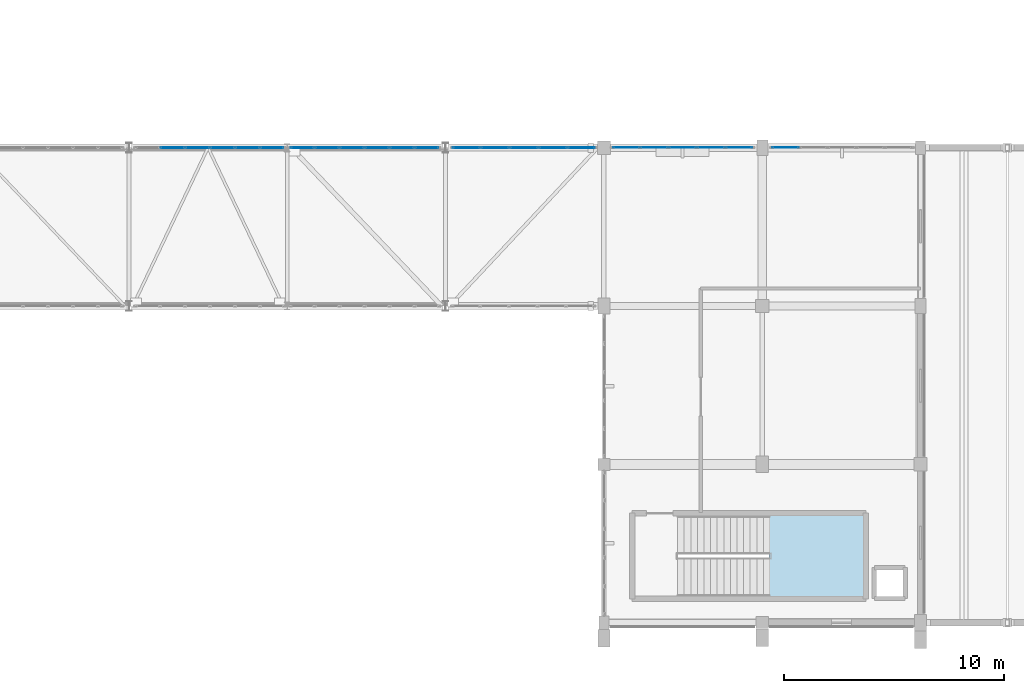
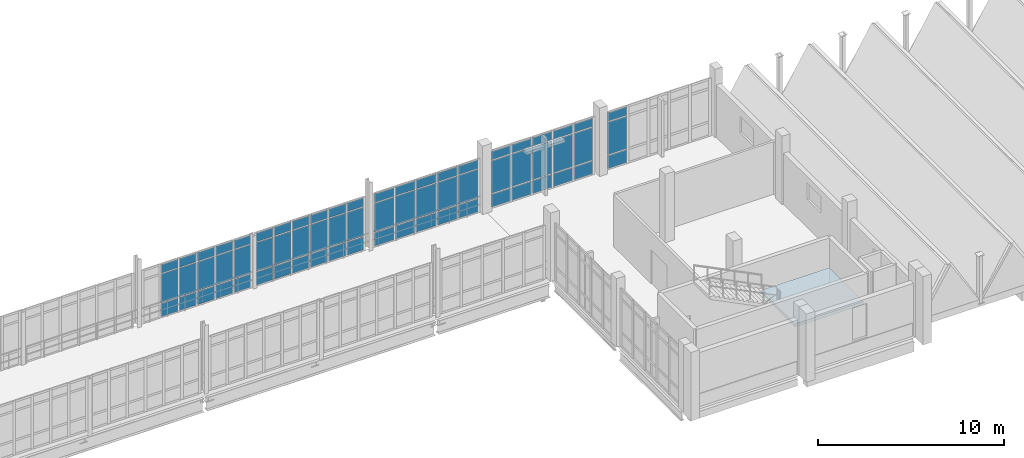
# One storey, part 95 of 124: 66 plates, 1 slab, 6 elements without a shape of their own.
"""IFC4 building model written with IfcOpenShell, lengths in metres."""

from ifc_helpers import new_model, si_unit, direction, frame, origin, origin_2d, place, context, subcontext, project, spatial, polyline, rectangle, outline, extrude, material, layer, layer_set, type_object, element, aggregate, save


model = new_model("IFC4")

# Units and contexts
model_context = context("Model", 3, precision=1e-05, world=origin(), true_north=direction((0.0, 1.0)))
body_context = subcontext(model_context, "Body", "Model", "MODEL_VIEW")
ifc_project = project(units=[si_unit("LENGTHUNIT", "METRE"), si_unit("AREAUNIT", "SQUARE_METRE"), si_unit("VOLUMEUNIT", "CUBIC_METRE"), si_unit("PLANEANGLEUNIT", "RADIAN"), si_unit("MASSUNIT", "GRAM", prefix="KILO")], contexts=[model_context])

# Site, building, storey
site_placement = place(None, origin())
site = spatial("IfcSite", under=ifc_project, at=site_placement, CompositionType="ELEMENT")
building_placement = place(site_placement, origin())
building = spatial("IfcBuilding", under=site, at=building_placement, Name="Kalluvel Institute of Natural Sciences", CompositionType="ELEMENT")
storey_placement = place(building_placement, frame((0.0, 0.0, 9.89990234375)))
storey = spatial("IfcBuildingStorey", under=building, at=storey_placement, Name="L02", CompositionType="ELEMENT", Elevation=9.89990234375)

# Curtain wall, plates
ifc_material_1 = material(Name="Aluminium AW-6063 T6", Category="aluminium")
curtain_wall_type_1 = type_object("IfcCurtainWallType", Name="CW-SPAV-45", PredefinedType="USERDEFINED", material=ifc_material_1)
curtain_wall_1_placement = place(storey_placement, origin())
curtain_wall_1 = element("IfcCurtainWall", 1, at=curtain_wall_1_placement, inside=storey, type_object=curtain_wall_type_1, Name="L02 Gothic lancet curtain wall CWA-L02-X1008-Y356", ObjectType="UNITISED LANCET FACADE", PredefinedType="USERDEFINED")
ifc_material_2 = material(Name="Solar-Control Low-E Laminated Glass", Category="glass")
ifc_layer_1 = layer(ifc_material_2, 0.028076171875)
ifc_layer_set_1 = layer_set([ifc_layer_1], Name="Solar-Control Low-E Laminated Glass")
plate_type_1 = type_object("IfcPlateType", Name="CWP-DGU-28", PredefinedType="CURTAIN_PANEL", material=ifc_layer_set_1)
plate_1_placement = place(storey_placement, frame((101.4111328125, 35.60009765625, 0.065185546875), z_axis=(0.0, 0.0, 1.0), x_axis=(1.0, 0.0, 0.0)))
plate_1 = element("IfcPlate", 2, at=plate_1_placement, type_object=plate_type_1, Name="CW-10 panel 1.1", PredefinedType="CURTAIN_PANEL", context=body_context, shape_type="SweptSolid", body=[
    extrude(rectangle(XDim=1.1923828125, YDim=0.028076171875, at=origin_2d()), origin(), (0.0, 0.0, 1.0), 0.8525390625),
])
plate_2_placement = place(storey_placement, frame((101.4111328125, 35.60009765625, 0.982421875), z_axis=(0.0, 0.0, 1.0), x_axis=(1.0, 0.0, 0.0)))
plate_2 = element("IfcPlate", 3, at=plate_2_placement, type_object=plate_type_1, Name="CW-10 panel 1.2", PredefinedType="CURTAIN_PANEL", context=body_context, shape_type="SweptSolid", body=[
    extrude(rectangle(XDim=1.1923828125, YDim=0.028076171875, at=origin_2d()), origin(), (0.0, 0.0, 1.0), 2.135009765625),
])
plate_3_placement = place(storey_placement, frame((101.4111328125, 35.60009765625, 3.1826171875), z_axis=(0.0, 0.0, 1.0), x_axis=(1.0, 0.0, 0.0)))
plate_3 = element("IfcPlate", 4, at=plate_3_placement, type_object=plate_type_1, Name="CW-10 panel 1.3", PredefinedType="CURTAIN_PANEL", context=body_context, shape_type="SweptSolid", body=[
    extrude(rectangle(XDim=1.1923828125, YDim=0.028076171875, at=origin_2d()), origin(), (0.0, 0.0, 1.0), 0.552490234375),
])
plate_4_placement = place(storey_placement, frame((102.68505859375, 35.60009765625, 0.065185546875), z_axis=(0.0, 0.0, 1.0), x_axis=(1.0, 0.0, 0.0)))
plate_4 = element("IfcPlate", 5, at=plate_4_placement, type_object=plate_type_1, Name="CW-10 panel 2.1", PredefinedType="CURTAIN_PANEL", context=body_context, shape_type="SweptSolid", body=[
    extrude(rectangle(XDim=1.22509765625, YDim=0.028076171875, at=origin_2d()), origin(), (0.0, 0.0, 1.0), 0.8525390625),
])
plate_5_placement = place(storey_placement, frame((102.68505859375, 35.60009765625, 0.982421875), z_axis=(0.0, 0.0, 1.0), x_axis=(1.0, 0.0, 0.0)))
plate_5 = element("IfcPlate", 6, at=plate_5_placement, type_object=plate_type_1, Name="CW-10 panel 2.2", PredefinedType="CURTAIN_PANEL", context=body_context, shape_type="SweptSolid", body=[
    extrude(rectangle(XDim=1.22509765625, YDim=0.028076171875, at=origin_2d()), origin(), (0.0, 0.0, 1.0), 2.135009765625),
])
plate_6_placement = place(storey_placement, frame((102.68505859375, 35.60009765625, 3.1826171875), z_axis=(0.0, 0.0, 1.0), x_axis=(1.0, 0.0, 0.0)))
plate_6 = element("IfcPlate", 7, at=plate_6_placement, type_object=plate_type_1, Name="CW-10 panel 2.3", PredefinedType="CURTAIN_PANEL", context=body_context, shape_type="SweptSolid", body=[
    extrude(rectangle(XDim=1.22509765625, YDim=0.028076171875, at=origin_2d()), origin(), (0.0, 0.0, 1.0), 0.552490234375),
])
plate_7_placement = place(storey_placement, frame((103.97509765625, 35.60009765625, 0.065185546875), z_axis=(0.0, 0.0, 1.0), x_axis=(1.0, 0.0, 0.0)))
plate_7 = element("IfcPlate", 8, at=plate_7_placement, type_object=plate_type_1, Name="CW-10 panel 3.1", PredefinedType="CURTAIN_PANEL", context=body_context, shape_type="SweptSolid", body=[
    extrude(rectangle(XDim=1.22509765625, YDim=0.028076171875, at=origin_2d()), origin(), (0.0, 0.0, 1.0), 0.8525390625),
])
plate_8_placement = place(storey_placement, frame((103.97509765625, 35.60009765625, 0.982421875), z_axis=(0.0, 0.0, 1.0), x_axis=(1.0, 0.0, 0.0)))
plate_8 = element("IfcPlate", 9, at=plate_8_placement, type_object=plate_type_1, Name="CW-10 panel 3.2", PredefinedType="CURTAIN_PANEL", context=body_context, shape_type="SweptSolid", body=[
    extrude(rectangle(XDim=1.22509765625, YDim=0.028076171875, at=origin_2d()), origin(), (0.0, 0.0, 1.0), 2.135009765625),
])
plate_9_placement = place(storey_placement, frame((103.97509765625, 35.60009765625, 3.1826171875), z_axis=(0.0, 0.0, 1.0), x_axis=(1.0, 0.0, 0.0)))
plate_9 = element("IfcPlate", 10, at=plate_9_placement, type_object=plate_type_1, Name="CW-10 panel 3.3", PredefinedType="CURTAIN_PANEL", context=body_context, shape_type="SweptSolid", body=[
    extrude(rectangle(XDim=1.22509765625, YDim=0.028076171875, at=origin_2d()), origin(), (0.0, 0.0, 1.0), 0.552490234375),
])
plate_10_placement = place(storey_placement, frame((105.264892578125, 35.60009765625, 0.065185546875), z_axis=(0.0, 0.0, 1.0), x_axis=(1.0, 0.0, 0.0)))
plate_10 = element("IfcPlate", 11, at=plate_10_placement, type_object=plate_type_1, Name="CW-10 panel 4.1", PredefinedType="CURTAIN_PANEL", context=body_context, shape_type="SweptSolid", body=[
    extrude(rectangle(XDim=1.22509765625, YDim=0.028076171875, at=origin_2d()), origin(), (0.0, 0.0, 1.0), 0.8525390625),
])
plate_11_placement = place(storey_placement, frame((105.264892578125, 35.60009765625, 0.982421875), z_axis=(0.0, 0.0, 1.0), x_axis=(1.0, 0.0, 0.0)))
plate_11 = element("IfcPlate", 12, at=plate_11_placement, type_object=plate_type_1, Name="CW-10 panel 4.2", PredefinedType="CURTAIN_PANEL", context=body_context, shape_type="SweptSolid", body=[
    extrude(rectangle(XDim=1.22509765625, YDim=0.028076171875, at=origin_2d()), origin(), (0.0, 0.0, 1.0), 2.135009765625),
])
plate_12_placement = place(storey_placement, frame((105.264892578125, 35.60009765625, 3.1826171875), z_axis=(0.0, 0.0, 1.0), x_axis=(1.0, 0.0, 0.0)))
plate_12 = element("IfcPlate", 13, at=plate_12_placement, type_object=plate_type_1, Name="CW-10 panel 4.3", PredefinedType="CURTAIN_PANEL", context=body_context, shape_type="SweptSolid", body=[
    extrude(rectangle(XDim=1.22509765625, YDim=0.028076171875, at=origin_2d()), origin(), (0.0, 0.0, 1.0), 0.552490234375),
])
plate_13_placement = place(storey_placement, frame((106.538818359375, 35.60009765625, 0.065185546875), z_axis=(0.0, 0.0, 1.0), x_axis=(1.0, 0.0, 0.0)))
plate_13 = element("IfcPlate", 14, at=plate_13_placement, type_object=plate_type_1, Name="CW-10 panel 5.1", PredefinedType="CURTAIN_PANEL", context=body_context, shape_type="SweptSolid", body=[
    extrude(rectangle(XDim=1.1923828125, YDim=0.028076171875, at=origin_2d()), origin(), (0.0, 0.0, 1.0), 0.8525390625),
])
plate_14_placement = place(storey_placement, frame((106.538818359375, 35.60009765625, 0.982421875), z_axis=(0.0, 0.0, 1.0), x_axis=(1.0, 0.0, 0.0)))
plate_14 = element("IfcPlate", 15, at=plate_14_placement, type_object=plate_type_1, Name="CW-10 panel 5.2", PredefinedType="CURTAIN_PANEL", context=body_context, shape_type="SweptSolid", body=[
    extrude(rectangle(XDim=1.1923828125, YDim=0.028076171875, at=origin_2d()), origin(), (0.0, 0.0, 1.0), 2.135009765625),
])
plate_15_placement = place(storey_placement, frame((106.538818359375, 35.60009765625, 3.1826171875), z_axis=(0.0, 0.0, 1.0), x_axis=(1.0, 0.0, 0.0)))
plate_15 = element("IfcPlate", 16, at=plate_15_placement, type_object=plate_type_1, Name="CW-10 panel 5.3", PredefinedType="CURTAIN_PANEL", context=body_context, shape_type="SweptSolid", body=[
    extrude(rectangle(XDim=1.1923828125, YDim=0.028076171875, at=origin_2d()), origin(), (0.0, 0.0, 1.0), 0.552490234375),
])
aggregate(curtain_wall_1, [plate_1, plate_2, plate_3, plate_4, plate_5, plate_6, plate_7, plate_8, plate_9, plate_10, plate_11, plate_12, plate_13, plate_14, plate_15])

curtain_wall_2_placement = place(storey_placement, origin())
curtain_wall_2 = element("IfcCurtainWall", 17, at=curtain_wall_2_placement, inside=storey, type_object=curtain_wall_type_1, Name="L02 Gothic lancet curtain wall CWA-L02-X1080-Y356", ObjectType="UNITISED LANCET FACADE", PredefinedType="USERDEFINED")
plate_16_placement = place(storey_placement, frame((108.6611328125, 35.60009765625, 0.065185546875), z_axis=(0.0, 0.0, 1.0), x_axis=(1.0, 0.0, 0.0)))
plate_16 = element("IfcPlate", 18, at=plate_16_placement, type_object=plate_type_1, Name="CW-10 panel 1.1", PredefinedType="CURTAIN_PANEL", context=body_context, shape_type="SweptSolid", body=[
    extrude(rectangle(XDim=1.1923828125, YDim=0.028076171875, at=origin_2d()), origin(), (0.0, 0.0, 1.0), 0.8525390625),
])
plate_17_placement = place(storey_placement, frame((108.6611328125, 35.60009765625, 0.982421875), z_axis=(0.0, 0.0, 1.0), x_axis=(1.0, 0.0, 0.0)))
plate_17 = element("IfcPlate", 19, at=plate_17_placement, type_object=plate_type_1, Name="CW-10 panel 1.2", PredefinedType="CURTAIN_PANEL", context=body_context, shape_type="SweptSolid", body=[
    extrude(rectangle(XDim=1.1923828125, YDim=0.028076171875, at=origin_2d()), origin(), (0.0, 0.0, 1.0), 2.135009765625),
])
plate_18_placement = place(storey_placement, frame((108.6611328125, 35.60009765625, 3.1826171875), z_axis=(0.0, 0.0, 1.0), x_axis=(1.0, 0.0, 0.0)))
plate_18 = element("IfcPlate", 20, at=plate_18_placement, type_object=plate_type_1, Name="CW-10 panel 1.3", PredefinedType="CURTAIN_PANEL", context=body_context, shape_type="SweptSolid", body=[
    extrude(rectangle(XDim=1.1923828125, YDim=0.028076171875, at=origin_2d()), origin(), (0.0, 0.0, 1.0), 0.552490234375),
])
aggregate(curtain_wall_2, [plate_16, plate_17, plate_18])

curtain_wall_type_2 = type_object("IfcCurtainWallType", Name="CW-BRG-45", PredefinedType="USERDEFINED", material=ifc_material_1)
curtain_wall_3_placement = place(storey_placement, origin())
curtain_wall_3 = element("IfcCurtainWall", 21, at=curtain_wall_3_placement, inside=storey, type_object=curtain_wall_type_2, Name="L02 Gothic lancet curtain wall CWA-L02-X791-Y356", ObjectType="UNITISED LANCET FACADE", PredefinedType="USERDEFINED")
ifc_layer_2 = layer(ifc_material_2, 0.031982421875)
ifc_layer_set_2 = layer_set([ifc_layer_2], Name="Solar-Control Low-E Laminated Glass")
plate_type_2 = type_object("IfcPlateType", Name="CWP-DGU-32", PredefinedType="CURTAIN_PANEL", material=ifc_layer_set_2)
plate_19_placement = place(storey_placement, frame((80.77880859375, 35.60009765625, 0.06005859375), z_axis=(0.0, 0.0, 1.0), x_axis=(1.0, 0.0, 0.0)))
plate_19 = element("IfcPlate", 22, at=plate_19_placement, type_object=plate_type_2, Name="CW-07 panel 2.1", PredefinedType="CURTAIN_PANEL", context=body_context, shape_type="SweptSolid", body=[
    extrude(rectangle(XDim=1.075927734375, YDim=0.031982421875, at=origin_2d()), origin(), (0.0, 0.0, 1.0), 0.860107421875),
])
plate_20_placement = place(storey_placement, frame((80.77880859375, 35.60009765625, 0.980224609375), z_axis=(0.0, 0.0, 1.0), x_axis=(1.0, 0.0, 0.0)))
plate_20 = element("IfcPlate", 23, at=plate_20_placement, type_object=plate_type_2, Name="CW-07 panel 2.2", PredefinedType="CURTAIN_PANEL", context=body_context, shape_type="SweptSolid", body=[
    extrude(rectangle(XDim=1.075927734375, YDim=0.031982421875, at=origin_2d()), origin(), (0.0, 0.0, 1.0), 1.8798828125),
])
plate_21_placement = place(storey_placement, frame((80.77880859375, 35.60009765625, 2.920166015625), z_axis=(0.0, 0.0, 1.0), x_axis=(1.0, 0.0, 0.0)))
plate_21 = element("IfcPlate", 24, at=plate_21_placement, type_object=plate_type_2, Name="CW-07 panel 2.3", PredefinedType="CURTAIN_PANEL", context=body_context, shape_type="SweptSolid", body=[
    extrude(rectangle(XDim=1.075927734375, YDim=0.031982421875, at=origin_2d()), origin(), (0.0, 0.0, 1.0), 0.56005859375),
])
plate_22_placement = place(storey_placement, frame((81.91455078125, 35.60009765625, 0.06005859375), z_axis=(0.0, 0.0, 1.0), x_axis=(1.0, 0.0, 0.0)))
plate_22 = element("IfcPlate", 25, at=plate_22_placement, type_object=plate_type_2, Name="CW-07 panel 3.1", PredefinedType="CURTAIN_PANEL", context=body_context, shape_type="SweptSolid", body=[
    extrude(rectangle(XDim=1.075927734375, YDim=0.031982421875, at=origin_2d()), origin(), (0.0, 0.0, 1.0), 0.860107421875),
])
plate_23_placement = place(storey_placement, frame((81.91455078125, 35.60009765625, 0.980224609375), z_axis=(0.0, 0.0, 1.0), x_axis=(1.0, 0.0, 0.0)))
plate_23 = element("IfcPlate", 26, at=plate_23_placement, type_object=plate_type_2, Name="CW-07 panel 3.2", PredefinedType="CURTAIN_PANEL", context=body_context, shape_type="SweptSolid", body=[
    extrude(rectangle(XDim=1.075927734375, YDim=0.031982421875, at=origin_2d()), origin(), (0.0, 0.0, 1.0), 1.8798828125),
])
plate_24_placement = place(storey_placement, frame((81.91455078125, 35.60009765625, 2.920166015625), z_axis=(0.0, 0.0, 1.0), x_axis=(1.0, 0.0, 0.0)))
plate_24 = element("IfcPlate", 27, at=plate_24_placement, type_object=plate_type_2, Name="CW-07 panel 3.3", PredefinedType="CURTAIN_PANEL", context=body_context, shape_type="SweptSolid", body=[
    extrude(rectangle(XDim=1.075927734375, YDim=0.031982421875, at=origin_2d()), origin(), (0.0, 0.0, 1.0), 0.56005859375),
])
plate_25_placement = place(storey_placement, frame((83.050537109375, 35.60009765625, 0.06005859375), z_axis=(0.0, 0.0, 1.0), x_axis=(1.0, 0.0, 0.0)))
plate_25 = element("IfcPlate", 28, at=plate_25_placement, type_object=plate_type_2, Name="CW-07 panel 4.1", PredefinedType="CURTAIN_PANEL", context=body_context, shape_type="SweptSolid", body=[
    extrude(rectangle(XDim=1.075927734375, YDim=0.031982421875, at=origin_2d()), origin(), (0.0, 0.0, 1.0), 0.860107421875),
])
plate_26_placement = place(storey_placement, frame((83.050537109375, 35.60009765625, 0.980224609375), z_axis=(0.0, 0.0, 1.0), x_axis=(1.0, 0.0, 0.0)))
plate_26 = element("IfcPlate", 29, at=plate_26_placement, type_object=plate_type_2, Name="CW-07 panel 4.2", PredefinedType="CURTAIN_PANEL", context=body_context, shape_type="SweptSolid", body=[
    extrude(rectangle(XDim=1.075927734375, YDim=0.031982421875, at=origin_2d()), origin(), (0.0, 0.0, 1.0), 1.8798828125),
])
plate_27_placement = place(storey_placement, frame((83.050537109375, 35.60009765625, 2.920166015625), z_axis=(0.0, 0.0, 1.0), x_axis=(1.0, 0.0, 0.0)))
plate_27 = element("IfcPlate", 30, at=plate_27_placement, type_object=plate_type_2, Name="CW-07 panel 4.3", PredefinedType="CURTAIN_PANEL", context=body_context, shape_type="SweptSolid", body=[
    extrude(rectangle(XDim=1.075927734375, YDim=0.031982421875, at=origin_2d()), origin(), (0.0, 0.0, 1.0), 0.56005859375),
])
plate_28_placement = place(storey_placement, frame((84.186279296875, 35.60009765625, 0.06005859375), z_axis=(0.0, 0.0, 1.0), x_axis=(1.0, 0.0, 0.0)))
plate_28 = element("IfcPlate", 31, at=plate_28_placement, type_object=plate_type_2, Name="CW-07 panel 5.1", PredefinedType="CURTAIN_PANEL", context=body_context, shape_type="SweptSolid", body=[
    extrude(rectangle(XDim=1.075927734375, YDim=0.031982421875, at=origin_2d()), origin(), (0.0, 0.0, 1.0), 0.860107421875),
])
plate_29_placement = place(storey_placement, frame((84.186279296875, 35.60009765625, 0.980224609375), z_axis=(0.0, 0.0, 1.0), x_axis=(1.0, 0.0, 0.0)))
plate_29 = element("IfcPlate", 32, at=plate_29_placement, type_object=plate_type_2, Name="CW-07 panel 5.2", PredefinedType="CURTAIN_PANEL", context=body_context, shape_type="SweptSolid", body=[
    extrude(rectangle(XDim=1.075927734375, YDim=0.031982421875, at=origin_2d()), origin(), (0.0, 0.0, 1.0), 1.8798828125),
])
plate_30_placement = place(storey_placement, frame((84.186279296875, 35.60009765625, 2.920166015625), z_axis=(0.0, 0.0, 1.0), x_axis=(1.0, 0.0, 0.0)))
plate_30 = element("IfcPlate", 33, at=plate_30_placement, type_object=plate_type_2, Name="CW-07 panel 5.3", PredefinedType="CURTAIN_PANEL", context=body_context, shape_type="SweptSolid", body=[
    extrude(rectangle(XDim=1.075927734375, YDim=0.031982421875, at=origin_2d()), origin(), (0.0, 0.0, 1.0), 0.56005859375),
])
plate_31_placement = place(storey_placement, frame((85.30712890625, 35.60009765625, 0.06005859375), z_axis=(0.0, 0.0, 1.0), x_axis=(1.0, 0.0, 0.0)))
plate_31 = element("IfcPlate", 34, at=plate_31_placement, type_object=plate_type_2, Name="CW-07 panel 6.1", PredefinedType="CURTAIN_PANEL", context=body_context, shape_type="SweptSolid", body=[
    extrude(rectangle(XDim=1.0458984375, YDim=0.031982421875, at=origin_2d()), origin(), (0.0, 0.0, 1.0), 0.860107421875),
])
plate_32_placement = place(storey_placement, frame((85.30712890625, 35.60009765625, 0.980224609375), z_axis=(0.0, 0.0, 1.0), x_axis=(1.0, 0.0, 0.0)))
plate_32 = element("IfcPlate", 35, at=plate_32_placement, type_object=plate_type_2, Name="CW-07 panel 6.2", PredefinedType="CURTAIN_PANEL", context=body_context, shape_type="SweptSolid", body=[
    extrude(rectangle(XDim=1.0458984375, YDim=0.031982421875, at=origin_2d()), origin(), (0.0, 0.0, 1.0), 1.8798828125),
])
plate_33_placement = place(storey_placement, frame((85.30712890625, 35.60009765625, 2.920166015625), z_axis=(0.0, 0.0, 1.0), x_axis=(1.0, 0.0, 0.0)))
plate_33 = element("IfcPlate", 36, at=plate_33_placement, type_object=plate_type_2, Name="CW-07 panel 6.3", PredefinedType="CURTAIN_PANEL", context=body_context, shape_type="SweptSolid", body=[
    extrude(rectangle(XDim=1.0458984375, YDim=0.031982421875, at=origin_2d()), origin(), (0.0, 0.0, 1.0), 0.56005859375),
])
aggregate(curtain_wall_3, [plate_19, plate_20, plate_21, plate_22, plate_23, plate_24, plate_25, plate_26, plate_27, plate_28, plate_29, plate_30, plate_31, plate_32, plate_33])

curtain_wall_4_placement = place(storey_placement, origin())
curtain_wall_4 = element("IfcCurtainWall", 37, at=curtain_wall_4_placement, inside=storey, type_object=curtain_wall_type_2, Name="L02 Gothic lancet curtain wall CWA-L02-X861-Y356", ObjectType="UNITISED LANCET FACADE", PredefinedType="USERDEFINED")
plate_34_placement = place(storey_placement, frame((86.69287109375, 35.60009765625, 0.06005859375), z_axis=(0.0, 0.0, 1.0), x_axis=(1.0, 0.0, 0.0)))
plate_34 = element("IfcPlate", 38, at=plate_34_placement, type_object=plate_type_2, Name="CW-07 panel 1.1", PredefinedType="CURTAIN_PANEL", context=body_context, shape_type="SweptSolid", body=[
    extrude(rectangle(XDim=1.0458984375, YDim=0.031982421875, at=origin_2d()), origin(), (0.0, 0.0, 1.0), 0.860107421875),
])
plate_35_placement = place(storey_placement, frame((86.69287109375, 35.60009765625, 0.980224609375), z_axis=(0.0, 0.0, 1.0), x_axis=(1.0, 0.0, 0.0)))
plate_35 = element("IfcPlate", 39, at=plate_35_placement, type_object=plate_type_2, Name="CW-07 panel 1.2", PredefinedType="CURTAIN_PANEL", context=body_context, shape_type="SweptSolid", body=[
    extrude(rectangle(XDim=1.0458984375, YDim=0.031982421875, at=origin_2d()), origin(), (0.0, 0.0, 1.0), 1.8798828125),
])
plate_36_placement = place(storey_placement, frame((86.69287109375, 35.60009765625, 2.920166015625), z_axis=(0.0, 0.0, 1.0), x_axis=(1.0, 0.0, 0.0)))
plate_36 = element("IfcPlate", 40, at=plate_36_placement, type_object=plate_type_2, Name="CW-07 panel 1.3", PredefinedType="CURTAIN_PANEL", context=body_context, shape_type="SweptSolid", body=[
    extrude(rectangle(XDim=1.0458984375, YDim=0.031982421875, at=origin_2d()), origin(), (0.0, 0.0, 1.0), 0.56005859375),
])
plate_37_placement = place(storey_placement, frame((87.813720703125, 35.60009765625, 0.06005859375), z_axis=(0.0, 0.0, 1.0), x_axis=(1.0, 0.0, 0.0)))
plate_37 = element("IfcPlate", 41, at=plate_37_placement, type_object=plate_type_2, Name="CW-07 panel 2.1", PredefinedType="CURTAIN_PANEL", context=body_context, shape_type="SweptSolid", body=[
    extrude(rectangle(XDim=1.075927734375, YDim=0.031982421875, at=origin_2d()), origin(), (0.0, 0.0, 1.0), 0.860107421875),
])
plate_38_placement = place(storey_placement, frame((87.813720703125, 35.60009765625, 0.980224609375), z_axis=(0.0, 0.0, 1.0), x_axis=(1.0, 0.0, 0.0)))
plate_38 = element("IfcPlate", 42, at=plate_38_placement, type_object=plate_type_2, Name="CW-07 panel 2.2", PredefinedType="CURTAIN_PANEL", context=body_context, shape_type="SweptSolid", body=[
    extrude(rectangle(XDim=1.075927734375, YDim=0.031982421875, at=origin_2d()), origin(), (0.0, 0.0, 1.0), 1.8798828125),
])
plate_39_placement = place(storey_placement, frame((87.813720703125, 35.60009765625, 2.920166015625), z_axis=(0.0, 0.0, 1.0), x_axis=(1.0, 0.0, 0.0)))
plate_39 = element("IfcPlate", 43, at=plate_39_placement, type_object=plate_type_2, Name="CW-07 panel 2.3", PredefinedType="CURTAIN_PANEL", context=body_context, shape_type="SweptSolid", body=[
    extrude(rectangle(XDim=1.075927734375, YDim=0.031982421875, at=origin_2d()), origin(), (0.0, 0.0, 1.0), 0.56005859375),
])
plate_40_placement = place(storey_placement, frame((88.949462890625, 35.60009765625, 0.06005859375), z_axis=(0.0, 0.0, 1.0), x_axis=(1.0, 0.0, 0.0)))
plate_40 = element("IfcPlate", 44, at=plate_40_placement, type_object=plate_type_2, Name="CW-07 panel 3.1", PredefinedType="CURTAIN_PANEL", context=body_context, shape_type="SweptSolid", body=[
    extrude(rectangle(XDim=1.075927734375, YDim=0.031982421875, at=origin_2d()), origin(), (0.0, 0.0, 1.0), 0.860107421875),
])
plate_41_placement = place(storey_placement, frame((88.949462890625, 35.60009765625, 0.980224609375), z_axis=(0.0, 0.0, 1.0), x_axis=(1.0, 0.0, 0.0)))
plate_41 = element("IfcPlate", 45, at=plate_41_placement, type_object=plate_type_2, Name="CW-07 panel 3.2", PredefinedType="CURTAIN_PANEL", context=body_context, shape_type="SweptSolid", body=[
    extrude(rectangle(XDim=1.075927734375, YDim=0.031982421875, at=origin_2d()), origin(), (0.0, 0.0, 1.0), 1.8798828125),
])
plate_42_placement = place(storey_placement, frame((88.949462890625, 35.60009765625, 2.920166015625), z_axis=(0.0, 0.0, 1.0), x_axis=(1.0, 0.0, 0.0)))
plate_42 = element("IfcPlate", 46, at=plate_42_placement, type_object=plate_type_2, Name="CW-07 panel 3.3", PredefinedType="CURTAIN_PANEL", context=body_context, shape_type="SweptSolid", body=[
    extrude(rectangle(XDim=1.075927734375, YDim=0.031982421875, at=origin_2d()), origin(), (0.0, 0.0, 1.0), 0.56005859375),
])
plate_43_placement = place(storey_placement, frame((90.08544921875, 35.60009765625, 0.06005859375), z_axis=(0.0, 0.0, 1.0), x_axis=(1.0, 0.0, 0.0)))
plate_43 = element("IfcPlate", 47, at=plate_43_placement, type_object=plate_type_2, Name="CW-07 panel 4.1", PredefinedType="CURTAIN_PANEL", context=body_context, shape_type="SweptSolid", body=[
    extrude(rectangle(XDim=1.075927734375, YDim=0.031982421875, at=origin_2d()), origin(), (0.0, 0.0, 1.0), 0.860107421875),
])
plate_44_placement = place(storey_placement, frame((90.08544921875, 35.60009765625, 0.980224609375), z_axis=(0.0, 0.0, 1.0), x_axis=(1.0, 0.0, 0.0)))
plate_44 = element("IfcPlate", 48, at=plate_44_placement, type_object=plate_type_2, Name="CW-07 panel 4.2", PredefinedType="CURTAIN_PANEL", context=body_context, shape_type="SweptSolid", body=[
    extrude(rectangle(XDim=1.075927734375, YDim=0.031982421875, at=origin_2d()), origin(), (0.0, 0.0, 1.0), 1.8798828125),
])
plate_45_placement = place(storey_placement, frame((90.08544921875, 35.60009765625, 2.920166015625), z_axis=(0.0, 0.0, 1.0), x_axis=(1.0, 0.0, 0.0)))
plate_45 = element("IfcPlate", 49, at=plate_45_placement, type_object=plate_type_2, Name="CW-07 panel 4.3", PredefinedType="CURTAIN_PANEL", context=body_context, shape_type="SweptSolid", body=[
    extrude(rectangle(XDim=1.075927734375, YDim=0.031982421875, at=origin_2d()), origin(), (0.0, 0.0, 1.0), 0.56005859375),
])
plate_46_placement = place(storey_placement, frame((91.22119140625, 35.60009765625, 0.06005859375), z_axis=(0.0, 0.0, 1.0), x_axis=(1.0, 0.0, 0.0)))
plate_46 = element("IfcPlate", 50, at=plate_46_placement, type_object=plate_type_2, Name="CW-07 panel 5.1", PredefinedType="CURTAIN_PANEL", context=body_context, shape_type="SweptSolid", body=[
    extrude(rectangle(XDim=1.075927734375, YDim=0.031982421875, at=origin_2d()), origin(), (0.0, 0.0, 1.0), 0.860107421875),
])
plate_47_placement = place(storey_placement, frame((91.22119140625, 35.60009765625, 0.980224609375), z_axis=(0.0, 0.0, 1.0), x_axis=(1.0, 0.0, 0.0)))
plate_47 = element("IfcPlate", 51, at=plate_47_placement, type_object=plate_type_2, Name="CW-07 panel 5.2", PredefinedType="CURTAIN_PANEL", context=body_context, shape_type="SweptSolid", body=[
    extrude(rectangle(XDim=1.075927734375, YDim=0.031982421875, at=origin_2d()), origin(), (0.0, 0.0, 1.0), 1.8798828125),
])
plate_48_placement = place(storey_placement, frame((91.22119140625, 35.60009765625, 2.920166015625), z_axis=(0.0, 0.0, 1.0), x_axis=(1.0, 0.0, 0.0)))
plate_48 = element("IfcPlate", 52, at=plate_48_placement, type_object=plate_type_2, Name="CW-07 panel 5.3", PredefinedType="CURTAIN_PANEL", context=body_context, shape_type="SweptSolid", body=[
    extrude(rectangle(XDim=1.075927734375, YDim=0.031982421875, at=origin_2d()), origin(), (0.0, 0.0, 1.0), 0.56005859375),
])
plate_49_placement = place(storey_placement, frame((92.342041015625, 35.60009765625, 0.06005859375), z_axis=(0.0, 0.0, 1.0), x_axis=(1.0, 0.0, 0.0)))
plate_49 = element("IfcPlate", 53, at=plate_49_placement, type_object=plate_type_2, Name="CW-07 panel 6.1", PredefinedType="CURTAIN_PANEL", context=body_context, shape_type="SweptSolid", body=[
    extrude(rectangle(XDim=1.0458984375, YDim=0.031982421875, at=origin_2d()), origin(), (0.0, 0.0, 1.0), 0.860107421875),
])
plate_50_placement = place(storey_placement, frame((92.342041015625, 35.60009765625, 0.980224609375), z_axis=(0.0, 0.0, 1.0), x_axis=(1.0, 0.0, 0.0)))
plate_50 = element("IfcPlate", 54, at=plate_50_placement, type_object=plate_type_2, Name="CW-07 panel 6.2", PredefinedType="CURTAIN_PANEL", context=body_context, shape_type="SweptSolid", body=[
    extrude(rectangle(XDim=1.0458984375, YDim=0.031982421875, at=origin_2d()), origin(), (0.0, 0.0, 1.0), 1.8798828125),
])
plate_51_placement = place(storey_placement, frame((92.342041015625, 35.60009765625, 2.920166015625), z_axis=(0.0, 0.0, 1.0), x_axis=(1.0, 0.0, 0.0)))
plate_51 = element("IfcPlate", 55, at=plate_51_placement, type_object=plate_type_2, Name="CW-07 panel 6.3", PredefinedType="CURTAIN_PANEL", context=body_context, shape_type="SweptSolid", body=[
    extrude(rectangle(XDim=1.0458984375, YDim=0.031982421875, at=origin_2d()), origin(), (0.0, 0.0, 1.0), 0.56005859375),
])
aggregate(curtain_wall_4, [plate_34, plate_35, plate_36, plate_37, plate_38, plate_39, plate_40, plate_41, plate_42, plate_43, plate_44, plate_45, plate_46, plate_47, plate_48, plate_49, plate_50, plate_51])

curtain_wall_5_placement = place(storey_placement, origin())
curtain_wall_5 = element("IfcCurtainWall", 56, at=curtain_wall_5_placement, inside=storey, type_object=curtain_wall_type_2, Name="L02 Gothic lancet curtain wall CWA-L02-X935-Y356", ObjectType="UNITISED LANCET FACADE", PredefinedType="USERDEFINED")
plate_52_placement = place(storey_placement, frame((94.1474609375, 35.60009765625, 0.06005859375), z_axis=(0.0, 0.0, 1.0), x_axis=(1.0, 0.0, 0.0)))
plate_52 = element("IfcPlate", 57, at=plate_52_placement, type_object=plate_type_2, Name="CW-07 panel 1.1", PredefinedType="CURTAIN_PANEL", context=body_context, shape_type="SweptSolid", body=[
    extrude(rectangle(XDim=1.22509765625, YDim=0.031982421875, at=origin_2d()), origin(), (0.0, 0.0, 1.0), 0.860107421875),
])
plate_53_placement = place(storey_placement, frame((94.1474609375, 35.60009765625, 0.980224609375), z_axis=(0.0, 0.0, 1.0), x_axis=(1.0, 0.0, 0.0)))
plate_53 = element("IfcPlate", 58, at=plate_53_placement, type_object=plate_type_2, Name="CW-07 panel 1.2", PredefinedType="CURTAIN_PANEL", context=body_context, shape_type="SweptSolid", body=[
    extrude(rectangle(XDim=1.22509765625, YDim=0.031982421875, at=origin_2d()), origin(), (0.0, 0.0, 1.0), 1.8798828125),
])
plate_54_placement = place(storey_placement, frame((94.1474609375, 35.60009765625, 2.920166015625), z_axis=(0.0, 0.0, 1.0), x_axis=(1.0, 0.0, 0.0)))
plate_54 = element("IfcPlate", 59, at=plate_54_placement, type_object=plate_type_2, Name="CW-07 panel 1.3", PredefinedType="CURTAIN_PANEL", context=body_context, shape_type="SweptSolid", body=[
    extrude(rectangle(XDim=1.22509765625, YDim=0.031982421875, at=origin_2d()), origin(), (0.0, 0.0, 1.0), 0.56005859375),
])
plate_55_placement = place(storey_placement, frame((95.447509765625, 35.60009765625, 0.06005859375), z_axis=(0.0, 0.0, 1.0), x_axis=(1.0, 0.0, 0.0)))
plate_55 = element("IfcPlate", 60, at=plate_55_placement, type_object=plate_type_2, Name="CW-07 panel 2.1", PredefinedType="CURTAIN_PANEL", context=body_context, shape_type="SweptSolid", body=[
    extrude(rectangle(XDim=1.2548828125, YDim=0.031982421875, at=origin_2d()), origin(), (0.0, 0.0, 1.0), 0.860107421875),
])
plate_56_placement = place(storey_placement, frame((95.447509765625, 35.60009765625, 0.980224609375), z_axis=(0.0, 0.0, 1.0), x_axis=(1.0, 0.0, 0.0)))
plate_56 = element("IfcPlate", 61, at=plate_56_placement, type_object=plate_type_2, Name="CW-07 panel 2.2", PredefinedType="CURTAIN_PANEL", context=body_context, shape_type="SweptSolid", body=[
    extrude(rectangle(XDim=1.2548828125, YDim=0.031982421875, at=origin_2d()), origin(), (0.0, 0.0, 1.0), 1.8798828125),
])
plate_57_placement = place(storey_placement, frame((95.447509765625, 35.60009765625, 2.920166015625), z_axis=(0.0, 0.0, 1.0), x_axis=(1.0, 0.0, 0.0)))
plate_57 = element("IfcPlate", 62, at=plate_57_placement, type_object=plate_type_2, Name="CW-07 panel 2.3", PredefinedType="CURTAIN_PANEL", context=body_context, shape_type="SweptSolid", body=[
    extrude(rectangle(XDim=1.2548828125, YDim=0.031982421875, at=origin_2d()), origin(), (0.0, 0.0, 1.0), 0.56005859375),
])
plate_58_placement = place(storey_placement, frame((96.762451171875, 35.60009765625, 0.06005859375), z_axis=(0.0, 0.0, 1.0), x_axis=(1.0, 0.0, 0.0)))
plate_58 = element("IfcPlate", 63, at=plate_58_placement, type_object=plate_type_2, Name="CW-07 panel 3.1", PredefinedType="CURTAIN_PANEL", context=body_context, shape_type="SweptSolid", body=[
    extrude(rectangle(XDim=1.2548828125, YDim=0.031982421875, at=origin_2d()), origin(), (0.0, 0.0, 1.0), 0.860107421875),
])
plate_59_placement = place(storey_placement, frame((96.762451171875, 35.60009765625, 0.980224609375), z_axis=(0.0, 0.0, 1.0), x_axis=(1.0, 0.0, 0.0)))
plate_59 = element("IfcPlate", 64, at=plate_59_placement, type_object=plate_type_2, Name="CW-07 panel 3.2", PredefinedType="CURTAIN_PANEL", context=body_context, shape_type="SweptSolid", body=[
    extrude(rectangle(XDim=1.2548828125, YDim=0.031982421875, at=origin_2d()), origin(), (0.0, 0.0, 1.0), 1.8798828125),
])
plate_60_placement = place(storey_placement, frame((96.762451171875, 35.60009765625, 2.920166015625), z_axis=(0.0, 0.0, 1.0), x_axis=(1.0, 0.0, 0.0)))
plate_60 = element("IfcPlate", 65, at=plate_60_placement, type_object=plate_type_2, Name="CW-07 panel 3.3", PredefinedType="CURTAIN_PANEL", context=body_context, shape_type="SweptSolid", body=[
    extrude(rectangle(XDim=1.2548828125, YDim=0.031982421875, at=origin_2d()), origin(), (0.0, 0.0, 1.0), 0.56005859375),
])
plate_61_placement = place(storey_placement, frame((98.077392578125, 35.60009765625, 0.06005859375), z_axis=(0.0, 0.0, 1.0), x_axis=(1.0, 0.0, 0.0)))
plate_61 = element("IfcPlate", 66, at=plate_61_placement, type_object=plate_type_2, Name="CW-07 panel 4.1", PredefinedType="CURTAIN_PANEL", context=body_context, shape_type="SweptSolid", body=[
    extrude(rectangle(XDim=1.2548828125, YDim=0.031982421875, at=origin_2d()), origin(), (0.0, 0.0, 1.0), 0.860107421875),
])
plate_62_placement = place(storey_placement, frame((98.077392578125, 35.60009765625, 0.980224609375), z_axis=(0.0, 0.0, 1.0), x_axis=(1.0, 0.0, 0.0)))
plate_62 = element("IfcPlate", 67, at=plate_62_placement, type_object=plate_type_2, Name="CW-07 panel 4.2", PredefinedType="CURTAIN_PANEL", context=body_context, shape_type="SweptSolid", body=[
    extrude(rectangle(XDim=1.2548828125, YDim=0.031982421875, at=origin_2d()), origin(), (0.0, 0.0, 1.0), 1.8798828125),
])
plate_63_placement = place(storey_placement, frame((98.077392578125, 35.60009765625, 2.920166015625), z_axis=(0.0, 0.0, 1.0), x_axis=(1.0, 0.0, 0.0)))
plate_63 = element("IfcPlate", 68, at=plate_63_placement, type_object=plate_type_2, Name="CW-07 panel 4.3", PredefinedType="CURTAIN_PANEL", context=body_context, shape_type="SweptSolid", body=[
    extrude(rectangle(XDim=1.2548828125, YDim=0.031982421875, at=origin_2d()), origin(), (0.0, 0.0, 1.0), 0.56005859375),
])
plate_64_placement = place(storey_placement, frame((99.37744140625, 35.60009765625, 0.06005859375), z_axis=(0.0, 0.0, 1.0), x_axis=(1.0, 0.0, 0.0)))
plate_64 = element("IfcPlate", 69, at=plate_64_placement, type_object=plate_type_2, Name="CW-07 panel 5.1", PredefinedType="CURTAIN_PANEL", context=body_context, shape_type="SweptSolid", body=[
    extrude(rectangle(XDim=1.22509765625, YDim=0.031982421875, at=origin_2d()), origin(), (0.0, 0.0, 1.0), 0.860107421875),
])
plate_65_placement = place(storey_placement, frame((99.37744140625, 35.60009765625, 0.980224609375), z_axis=(0.0, 0.0, 1.0), x_axis=(1.0, 0.0, 0.0)))
plate_65 = element("IfcPlate", 70, at=plate_65_placement, type_object=plate_type_2, Name="CW-07 panel 5.2", PredefinedType="CURTAIN_PANEL", context=body_context, shape_type="SweptSolid", body=[
    extrude(rectangle(XDim=1.22509765625, YDim=0.031982421875, at=origin_2d()), origin(), (0.0, 0.0, 1.0), 1.8798828125),
])
plate_66_placement = place(storey_placement, frame((99.37744140625, 35.60009765625, 2.920166015625), z_axis=(0.0, 0.0, 1.0), x_axis=(1.0, 0.0, 0.0)))
plate_66 = element("IfcPlate", 71, at=plate_66_placement, type_object=plate_type_2, Name="CW-07 panel 5.3", PredefinedType="CURTAIN_PANEL", context=body_context, shape_type="SweptSolid", body=[
    extrude(rectangle(XDim=1.22509765625, YDim=0.031982421875, at=origin_2d()), origin(), (0.0, 0.0, 1.0), 0.56005859375),
])
aggregate(curtain_wall_5, [plate_52, plate_53, plate_54, plate_55, plate_56, plate_57, plate_58, plate_59, plate_60, plate_61, plate_62, plate_63, plate_64, plate_65, plate_66])

# Stair, slab
ifc_material_3 = material(Name="Concrete M40", Category="concrete")
stair_type = type_object("IfcStairType", Name="STR-ST5-45", PredefinedType="HALF_TURN_STAIR", material=ifc_material_3)
stair_placement = place(storey_placement, origin())
stair = element("IfcStair", 72, at=stair_placement, inside=storey, type_object=stair_type, Name="L02 East Commons and Lecture Hub Protected Exit Stair ST7", PredefinedType="HALF_TURN_STAIR")
ifc_layer_3 = layer(ifc_material_3, 0.199951171875)
ifc_layer_set_3 = layer_set([ifc_layer_3], Name="Concrete M40")
slab_type = type_object("IfcSlabType", Name="SLD-ST5", PredefinedType="LANDING", material=ifc_layer_set_3)
slab_placement = place(storey_placement, frame((0.0, 0.0, 2.050048828125)))
slab = element("IfcSlab", 73, at=slab_placement, type_object=slab_type, Name="S5-45 landing 1", PredefinedType="LANDING", context=body_context, shape_type="SweptSolid", body=[
    extrude(outline(polyline([(107.931884765625, 15.199951171875), (112.199951171875, 15.199951171875), (112.199951171875, 18.8701171875), (107.931884765625, 18.8701171875), (107.931884765625, 15.199951171875)])), origin(), (0.0, 0.0, 1.0), 0.199951171875),
])
aggregate(stair, [slab])

save(model, "model.ifc")
